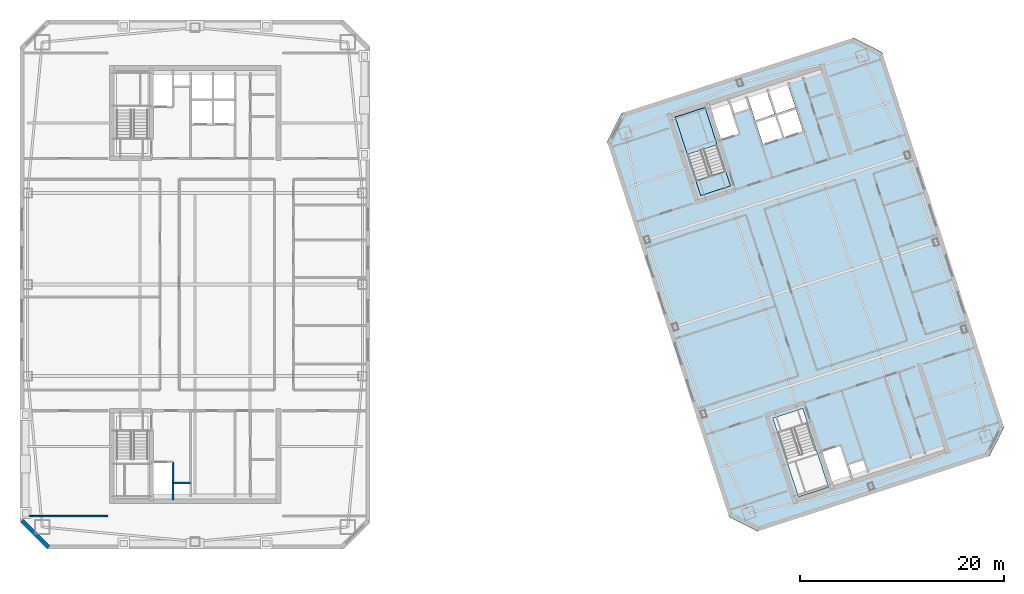
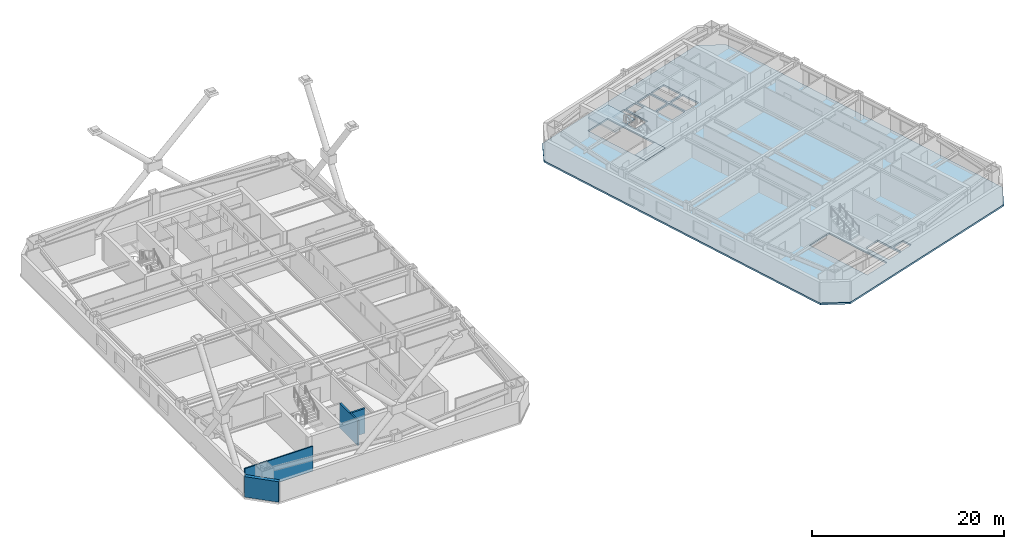
# One storey, part 16 of 25: 4 walls, 3 slabs, 1 element without a shape of its own.
"""IFC4 building model written with IfcOpenShell, lengths in metres."""

from ifc_helpers import new_model, si_unit, direction, frame, frame_2d, origin, place, context, subcontext, project, spatial, polyline, rectangle, outline, extrude, material, layer, layer_set, type_object, element, aggregate, save


model = new_model("IFC4")

# Units and contexts
model_context = context("Model", 3, precision=1e-05, world=origin(), true_north=direction((0.0, 1.0)))
body_context = subcontext(model_context, "Body", "Model", "MODEL_VIEW")
ifc_project = project(units=[si_unit("LENGTHUNIT", "METRE"), si_unit("AREAUNIT", "SQUARE_METRE"), si_unit("VOLUMEUNIT", "CUBIC_METRE"), si_unit("PLANEANGLEUNIT", "RADIAN"), si_unit("MASSUNIT", "GRAM", prefix="KILO")], contexts=[model_context])

# Site, building, storey
site_placement = place(None, origin())
site = spatial("IfcSite", under=ifc_project, at=site_placement, CompositionType="ELEMENT")
building_placement = place(site_placement, origin())
building = spatial("IfcBuilding", under=site, at=building_placement, Name="Qiaolan Cultural Towers", CompositionType="ELEMENT")
storey_placement = place(building_placement, frame((0.0, 0.0, 202.39990234375)))
storey = spatial("IfcBuildingStorey", under=building, at=storey_placement, Name="L54", CompositionType="ELEMENT", Elevation=202.39990234375)

# Stair, slab
ifc_material_1 = material(Name="Concrete C45", Category="concrete")
stair_type = type_object("IfcStairType", Name="STR-CORE-1500", PredefinedType="HALF_TURN_STAIR", material=ifc_material_1)
stair_placement = place(storey_placement, origin())
stair = element("IfcStair", 1, at=stair_placement, inside=storey, type_object=stair_type, Name="L54 Smokeproof Exit Stair ST-E2", PredefinedType="HALF_TURN_STAIR")
ifc_material_2 = material(Name="Concrete C45", Category="concrete")
ifc_layer_1 = layer(ifc_material_2, 0.199951171875)
ifc_layer_set_1 = layer_set([ifc_layer_1], Name="Concrete C45")
slab_type_1 = type_object("IfcSlabType", Name="SL-STAIR-LAND", PredefinedType="LANDING", material=ifc_layer_set_1)
slab_1_placement = place(storey_placement, frame((0.0, 0.0, 1.525146484375)))
slab_1 = element("IfcSlab", 2, at=slab_1_placement, type_object=slab_type_1, Name="ST-E2 landing 1", PredefinedType="LANDING", context=body_context, shape_type="SweptSolid", body=[
    extrude(outline(polyline([(81.31005859375, 47.735595703125), (80.1201171875, 51.3984375), (77.190673828125, 50.44677734375), (78.380859375, 46.783935546875), (81.31005859375, 47.735595703125)])), origin(), (0.0, 0.0, 1.0), 0.199951171875),
])
aggregate(stair, [slab_1])

# Slabs
ifc_material_3 = material(Name="Concrete C40", Category="concrete")
ifc_layer_2 = layer(ifc_material_3, 0.360107421875)
ifc_layer_set_2 = layer_set([ifc_layer_2], Name="Concrete C40")
slab_type_2 = type_object("IfcSlabType", Name="SL-STFLR-360", PredefinedType="LANDING", material=ifc_layer_set_2)
slab_2_placement = place(storey_placement, frame((0.0, 0.0, -0.35986328125)))
element("IfcSlab", 3, at=slab_2_placement, inside=storey, type_object=slab_type_2, Name="L54 ST-E2 Stair Floor Landing Slab", PredefinedType="LANDING", context=body_context, shape_type="SweptSolid", body=[
    extrude(outline(polyline([(82.62060546875, 43.6962890625), (82.141845703125, 45.169677734375), (79.21630859375, 44.21923828125), (79.695068359375, 42.74560546875), (82.62060546875, 43.6962890625)])), origin(), (0.0, 0.0, 1.0), 0.35986328125),
])
ifc_material_4 = material(Name="Concrete C45", Category="concrete")
ifc_layer_3 = layer(ifc_material_4, 0.219970703125)
ifc_layer_set_3 = layer_set([ifc_layer_3], Name="Concrete C45")
slab_type_3 = type_object("IfcSlabType", Name="SL-TYP-220", PredefinedType="FLOOR", material=ifc_layer_set_3)
slab_3_placement = place(storey_placement, frame((0.0, 0.0, -0.219970703125)))
element("IfcSlab", 4, at=slab_3_placement, inside=storey, type_object=slab_type_3, Name="L54 East Tower Floor Slab", PredefinedType="FLOOR", context=body_context, shape_type="SweptSolid", body=[
    extrude(outline(polyline([(85.26220703125, 9.7490234375), (108.08740234375, 17.165283203125), (109.5, 19.9375), (97.510009765625, 56.838623046875), (94.73779296875, 58.2509765625), (71.91259765625, 50.834716796875), (70.5, 48.0625), (82.489990234375, 11.161376953125), (85.26220703125, 9.7490234375)]), holes=[polyline([(86.80126953125, 20.868896484375), (89.30419921875, 13.165283203125), (92.2333984375, 14.116943359375), (89.73046875, 21.820556640625), (86.80126953125, 20.868896484375)]), polyline([(82.623046875, 43.69482421875), (80.1201171875, 51.3984375), (77.190673828125, 50.44677734375), (79.69384765625, 42.7431640625), (82.623046875, 43.69482421875)]), polyline([(92.666259765625, 14.468017578125), (94.42578125, 15.03955078125), (93.42138671875, 18.130615234375), (91.661865234375, 17.558837890625), (92.666259765625, 14.468017578125)]), polyline([(94.5908203125, 15.14599609375), (96.027099609375, 15.612548828125), (95.66552734375, 16.725341796875), (94.2294921875, 16.258544921875), (94.5908203125, 15.14599609375)]), polyline([(81.6806640625, 48.278076171875), (83.440185546875, 48.849609375), (82.435791015625, 51.940673828125), (80.67626953125, 51.368896484375), (81.6806640625, 48.278076171875)]), polyline([(82.993408203125, 50.839111328125), (84.4296875, 51.3056640625), (84.068115234375, 52.41845703125), (82.632080078125, 51.95166015625), (82.993408203125, 50.839111328125)]), polyline([(85.810302734375, 47.80078125), (87.71240234375, 48.418701171875), (87.013916015625, 50.568115234375), (85.11181640625, 49.9501953125), (85.810302734375, 47.80078125)]), polyline([(87.902587890625, 48.480712890625), (89.74755859375, 49.080078125), (89.04931640625, 51.2294921875), (87.2041015625, 50.6298828125), (87.902587890625, 48.480712890625)]), polyline([(85.05322265625, 50.130859375), (86.936279296875, 50.74267578125), (86.169921875, 53.101318359375), (84.286865234375, 52.489501953125), (85.05322265625, 50.130859375)]), polyline([(87.1455078125, 50.810791015625), (88.990478515625, 51.41015625), (88.22412109375, 53.768798828125), (86.379150390625, 53.169189453125), (87.1455078125, 50.810791015625)])]), origin(), (0.0, 0.0, 1.0), 0.219970703125),
])

# Walls
ifc_material_5 = material(Name="Precast Concrete C50 Honed Stone Pier", Category="masonry")
ifc_layer_4 = layer(ifc_material_5, 0.39990234375)
ifc_layer_set_4 = layer_set([ifc_layer_4], Name="Precast Concrete C50 Honed Stone Pier")
wall_type_1 = type_object("IfcWallType", Name="WL-EXT-PIER-400", PredefinedType="SOLIDWALL", material=ifc_layer_set_4)
wall_1_placement = place(storey_placement, frame((15.60009765625, 8.199951171875, 0.0), z_axis=(0.0, 0.0, 1.0), x_axis=(-0.707106781187, 0.707106781187, 0.0)))
element("IfcWall", 5, at=wall_1_placement, inside=storey, type_object=wall_type_1, Name="L54 West Tower Precast Pier Facade Wall F8", PredefinedType="SOLIDWALL", context=body_context, shape_type="SweptSolid", body=[
    extrude(rectangle(XDim=3.677001953125, YDim=0.39990234375, at=frame_2d((1.83837890625, 0.0))), origin(), (0.0, 0.0, 1.0), 2.610107421875),
])
ifc_material_6 = material(Name="Concrete C35 Fire Wall", Category="concrete")
ifc_layer_5 = layer(ifc_material_6, 0.199951171875)
ifc_layer_set_5 = layer_set([ifc_layer_5], Name="Concrete C35 Fire Wall")
wall_type_2 = type_object("IfcWallType", Name="WL-FIRE-200", PredefinedType="PARTITIONING", material=ifc_layer_set_5)
wall_2_placement = place(storey_placement, frame((27.820068359375, 16.550048828125, 0.0), z_axis=(0.0, 0.0, 1.0), x_axis=(0.0, -1.0, 0.0)))
element("IfcWall", 6, at=wall_2_placement, inside=storey, type_object=wall_type_2, Name="L54 T1-CS Firefighting Hoistway East Wall", PredefinedType="PARTITIONING", context=body_context, shape_type="SweptSolid", body=[
    extrude(rectangle(XDim=3.699951171875, YDim=0.199951171875, at=frame_2d((1.85009765625, 0.0))), origin(), (0.0, 0.0, 1.0), 3.175048828125),
])
wall_3_placement = place(storey_placement, frame((27.820068359375, 14.52001953125, 0.0), z_axis=(0.0, 0.0, 1.0), x_axis=(1.0, 0.0, 0.0)))
element("IfcWall", 7, at=wall_3_placement, inside=storey, type_object=wall_type_2, Name="L54 T1-CS Pressurization Shaft Front Wall", PredefinedType="PARTITIONING", context=body_context, shape_type="SweptSolid", body=[
    extrude(rectangle(XDim=1.72998046875, YDim=0.199951171875, at=frame_2d((0.864990234375, 0.0))), origin(), (0.0, 0.0, 1.0), 3.175048828125),
])
ifc_material_7 = material(Name="Autoclaved Aerated Concrete Block B06", Category="concrete")
ifc_layer_6 = layer(ifc_material_7, 0.14990234375)
ifc_layer_set_6 = layer_set([ifc_layer_6], Name="Autoclaved Aerated Concrete Block B06")
wall_type_3 = type_object("IfcWallType", Name="WL-PART-150", PredefinedType="PARTITIONING", material=ifc_layer_set_6)
wall_4_placement = place(storey_placement, frame((13.199951171875, 11.25, 0.0), z_axis=(0.0, 0.0, 1.0), x_axis=(1.0, 0.0, 0.0)))
element("IfcWall", 8, at=wall_4_placement, inside=storey, type_object=wall_type_3, Name="L54 T1 Flank Wall FLK-SW", PredefinedType="PARTITIONING", context=body_context, shape_type="SweptSolid", body=[
    extrude(rectangle(XDim=8.199951171875, YDim=0.14990234375, at=frame_2d((4.10009765625, 0.0))), origin(), (0.0, 0.0, 1.0), 3.175048828125),
])

save(model, "model.ifc")
